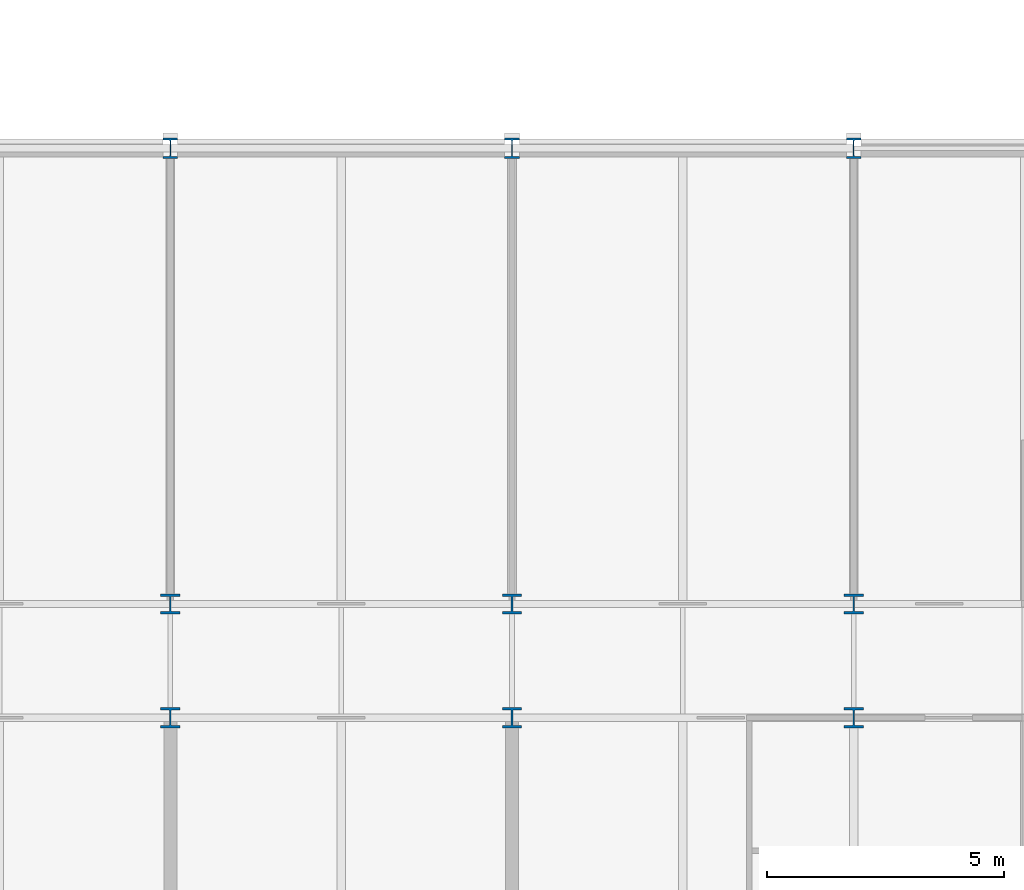
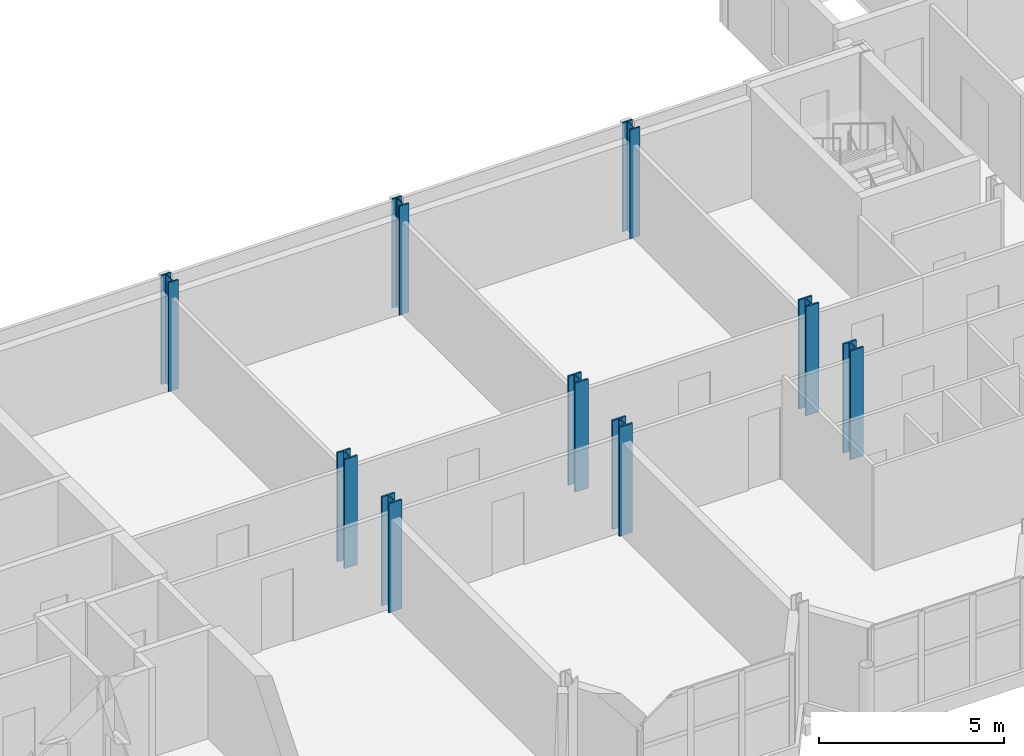
# One storey, part 14 of 142: 9 columns.
"""IFC4 building model written with IfcOpenShell, lengths in metres."""

from ifc_helpers import new_model, si_unit, direction, frame, origin, origin_2d, place, context, subcontext, project, spatial, i_section, extrude, material, material_profile, profile_set, type_object, element, save


model = new_model("IFC4")

# Units and contexts
model_context = context("Model", 3, precision=1e-05, world=origin(), true_north=direction((0.0, 1.0)))
body_context = subcontext(model_context, "Body", "Model", "MODEL_VIEW")
ifc_project = project(units=[si_unit("LENGTHUNIT", "METRE"), si_unit("AREAUNIT", "SQUARE_METRE"), si_unit("VOLUMEUNIT", "CUBIC_METRE"), si_unit("PLANEANGLEUNIT", "RADIAN"), si_unit("MASSUNIT", "GRAM", prefix="KILO")], contexts=[model_context])

# Site, building, storey
site_placement = place(None, origin())
site = spatial("IfcSite", under=ifc_project, at=site_placement, CompositionType="ELEMENT")
building_placement = place(site_placement, origin())
building = spatial("IfcBuilding", under=site, at=building_placement, Name="Kupolbacken Congress Centre", CompositionType="ELEMENT")
storey_placement = place(building_placement, frame((0.0, 0.0, 14.39990234375)))
storey = spatial("IfcBuildingStorey", under=building, at=storey_placement, Name="L04", CompositionType="ELEMENT", Elevation=14.39990234375)

# Columns
ifc_material_1 = material(Name="Steel S355", Category="steel")
ifc_material_profile_1 = material_profile(ifc_material_1, i_section(OverallWidth=0.408935546875, OverallDepth=0.425048828125, WebThickness=0.03271484375, FlangeThickness=0.052490234375, FilletRadius=0.014892578125, at=origin_2d()), Name="HD 400 x 421")
ifc_profile_set_1 = profile_set([ifc_material_profile_1], Name="Steel S355")
column_type_1 = type_object("IfcColumnType", Name="C01 column HD 400 x 421", PredefinedType="COLUMN", material=ifc_profile_set_1)
for number, where, z_axis, x_axis, name in (
    (1, (115.199951171875, 132.0, 0.0), (0.0, 0.0, 1.0), (1.0, 0.0, 0.0), "S/col/C-T-17U+2400/L04"),
    (2, (115.199951171875, 134.39990234375, 0.0), (0.0, 0.0, 1.0), (1.0, 0.0, 0.0), "S/col/C-T-17U+4800/L04"),
    (3, (122.39990234375, 132.0, 0.0), (0.0, 0.0, 1.0), (1.0, 0.0, 0.0), "S/col/C-T-18U+2400/L04"),
    (4, (122.39990234375, 134.39990234375, 0.0), (0.0, 0.0, 1.0), (1.0, 0.0, 0.0), "S/col/C-T-18U+4800/L04"),
    (5, (129.60009765625, 132.0, 0.0), (0.0, 0.0, 1.0), (1.0, 0.0, 0.0), "S/col/C-T-19U+2400/L04"),
    (6, (129.60009765625, 134.39990234375, 0.0), (0.0, 0.0, 1.0), (1.0, 0.0, 0.0), "S/col/C-T-19U+4800/L04"),
):
    element("IfcColumn", number, at=place(storey_placement, frame(where, z_axis=z_axis, x_axis=x_axis)), inside=storey, type_object=column_type_1, Name=name, PredefinedType="COLUMN", context=body_context, shape_type="SweptSolid", body=[
        extrude(i_section(OverallWidth=0.408935546875, OverallDepth=0.425048828125, WebThickness=0.03271484375, FlangeThickness=0.052490234375, FilletRadius=0.014892578125, at=origin_2d()), origin(), (0.0, 0.0, 1.0), 3.60009765625),
    ])
ifc_material_2 = material(Name="Steel S355", Category="steel")
ifc_material_profile_2 = material_profile(ifc_material_2, i_section(OverallWidth=0.306884765625, OverallDepth=0.431884765625, WebThickness=0.02099609375, FlangeThickness=0.0400390625, FilletRadius=0.027099609375, at=origin_2d()), Name="HEM 400")
ifc_profile_set_2 = profile_set([ifc_material_profile_2], Name="Steel S355")
column_type_2 = type_object("IfcColumnType", Name="C02 column HEM 400", PredefinedType="COLUMN", material=ifc_profile_set_2)
for number, where, z_axis, x_axis, name in (
    (7, (115.199951171875, 144.0, 0.0), (0.0, 0.0, 1.0), (1.0, 0.0, 0.0), "S/col/C-T-17W/L04"),
    (8, (122.39990234375, 144.0, 0.0), (0.0, 0.0, 1.0), (1.0, 0.0, 0.0), "S/col/C-T-18W/L04"),
    (9, (129.60009765625, 144.0, 0.0), (0.0, 0.0, 1.0), (1.0, 0.0, 0.0), "S/col/C-T-19W/L04"),
):
    element("IfcColumn", number, at=place(storey_placement, frame(where, z_axis=z_axis, x_axis=x_axis)), inside=storey, type_object=column_type_2, Name=name, PredefinedType="COLUMN", context=body_context, shape_type="SweptSolid", body=[
        extrude(i_section(OverallWidth=0.306884765625, OverallDepth=0.431884765625, WebThickness=0.02099609375, FlangeThickness=0.0400390625, FilletRadius=0.027099609375, at=origin_2d()), origin(), (0.0, 0.0, 1.0), 3.60009765625),
    ])

save(model, "model.ifc")
